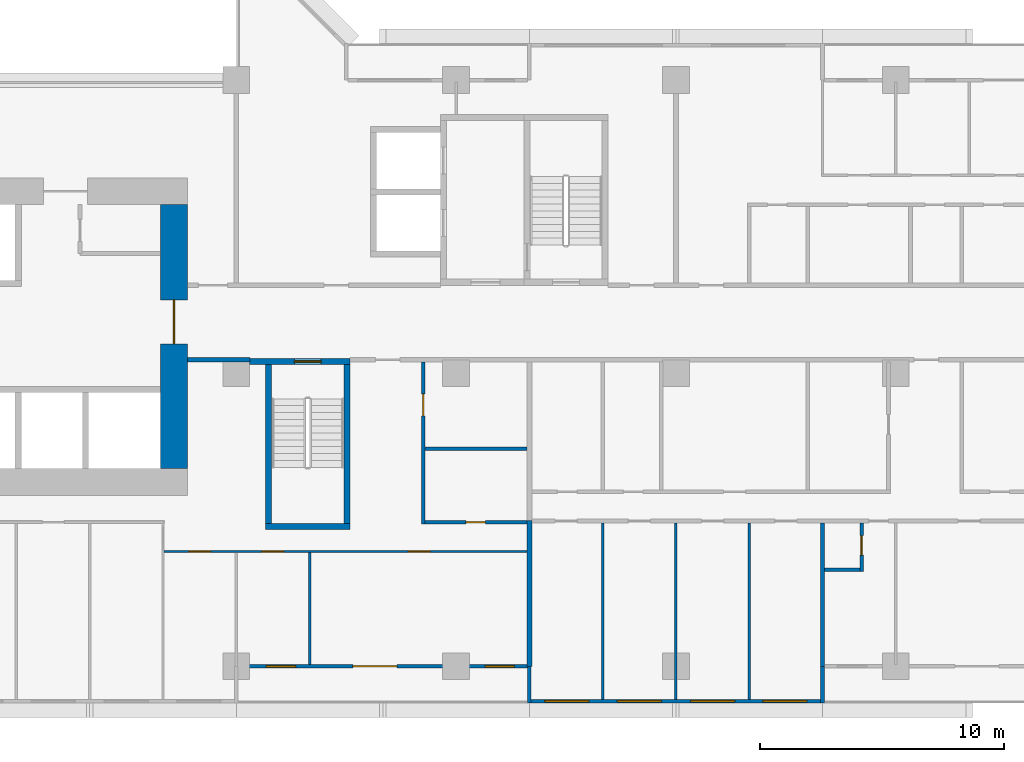
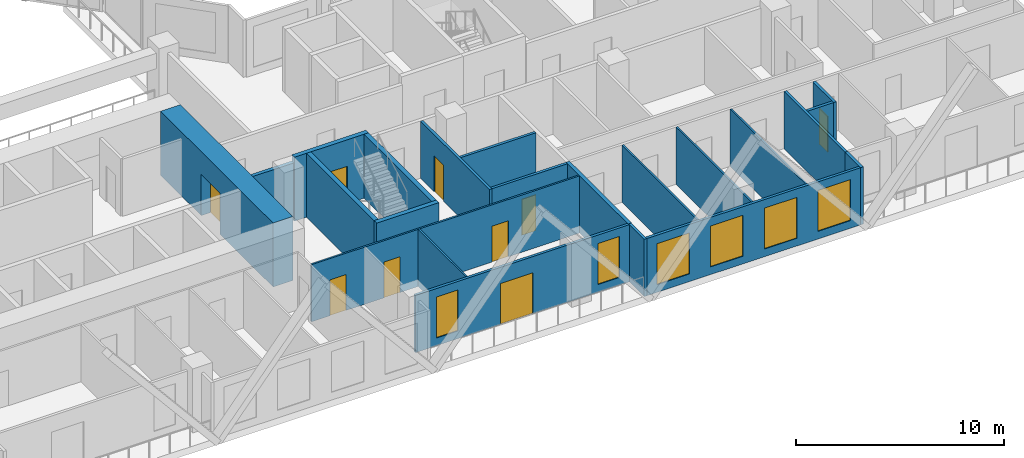
# One storey, part 6 of 16: 22 walls, 9 doors, 6 windows, 15 openings.
"""IFC4 building model written with IfcOpenShell, lengths in metres."""

import ifcopenshell
import ifcopenshell.guid

model = None  # the IFC model being written
_history = None  # IfcOwnerHistory: only IFC2X3 demands one
_inside = {}  # id of a spatial element -> (the spatial element, [elements in it])
_under = {}  # id of a project, library or spatial element -> (it, [spatial elements below it])
_declared = {}  # id of a project -> (the project, [libraries it declares])
_typed = {}  # id of a type object -> (the type object, [elements of that type])
_made_of = {}  # id of a material, layer set ... -> (it, [elements and type objects made of it])


def new_model(schema):
    """Start an empty IFC model of exactly this schema.

    Asked for "IFC4X3", IfcOpenShell would pick the latest addendum, in which some entities
    have other attributes; the version numbers below select the first issue.
    IFC2X3 requires an IfcOwnerHistory on every rooted entity: one is made here for all.
    """
    global model, _history
    if schema == "IFC4X3":
        model = ifcopenshell.file(schema_version=(4, 3, 0, 0))
    else:
        model = ifcopenshell.file(schema=schema)
    _inside.clear()
    _under.clear()
    _declared.clear()
    _typed.clear()
    _made_of.clear()
    _history = None
    if model.schema == "IFC2X3":
        org = make("IfcOrganization", Name="unknown")
        user = make(
            "IfcPersonAndOrganization",
            ThePerson=make("IfcPerson", FamilyName="unknown"),
            TheOrganization=org,
        )
        app = make(
            "IfcApplication",
            ApplicationDeveloper=org,
            Version="unknown",
            ApplicationFullName="unknown",
            ApplicationIdentifier="unknown",
        )
        _history = make(
            "IfcOwnerHistory",
            OwningUser=user,
            OwningApplication=app,
            ChangeAction="ADDED",
            CreationDate=0,
        )
    return model


def make(cls, **values):
    """One entity of the class cls with the attributes given. An attribute that is None is left unset."""
    return model.create_entity(
        cls, **{name: value for name, value in values.items() if value is not None}
    )


def rooted(cls, **values):
    """An entity with a GlobalId (a new one), such as an element, a storey or a relation."""
    return make(cls, GlobalId=ifcopenshell.guid.new(), OwnerHistory=_history, **values)


def si_unit(unit_type, name, prefix=None):
    """IfcSIUnit, for example si_unit("LENGTHUNIT", "METRE", prefix="MILLI")."""
    return make("IfcSIUnit", UnitType=unit_type, Prefix=prefix, Name=name)


def assignment(units):
    """IfcUnitAssignment: the units of a project."""
    return None if units is None else make("IfcUnitAssignment", Units=units)


def point(xyz):
    """IfcCartesianPoint."""
    return None if xyz is None else make("IfcCartesianPoint", Coordinates=xyz)


def direction(xyz):
    """IfcDirection."""
    return None if xyz is None else make("IfcDirection", DirectionRatios=xyz)


def frame(location, z_axis=None, x_axis=None):
    """IfcAxis2Placement3D, a coordinate frame: its origin and axes. An axis left out is left unset."""
    return make(
        "IfcAxis2Placement3D",
        Location=point(location),
        Axis=direction(z_axis),
        RefDirection=direction(x_axis),
    )


def frame_2d(location, x_axis=None):
    """IfcAxis2Placement2D, a coordinate frame in the plane: its origin and x axis."""
    return make(
        "IfcAxis2Placement2D", Location=point(location), RefDirection=direction(x_axis)
    )


def origin():
    """The frame at (0, 0, 0) with its axes left unset."""
    return frame((0.0, 0.0, 0.0))


def place(relative_to, where):
    """IfcLocalPlacement: puts the frame where relative to a parent placement (None: the world)."""
    return make(
        "IfcLocalPlacement", PlacementRelTo=relative_to, RelativePlacement=where
    )


def context(
    kind, dimensions, precision=None, world=None, true_north=None, identifier=None
):
    """IfcGeometricRepresentationContext, for example the 3D "Model" context."""
    return make(
        "IfcGeometricRepresentationContext",
        ContextIdentifier=identifier,
        ContextType=kind,
        CoordinateSpaceDimension=dimensions,
        Precision=precision,
        WorldCoordinateSystem=world,
        TrueNorth=true_north,
    )


def subcontext(parent, identifier, kind, view, scale=None):
    """IfcGeometricRepresentationSubContext, for example "Body" below "Model"."""
    return make(
        "IfcGeometricRepresentationSubContext",
        ContextIdentifier=identifier,
        ContextType=kind,
        ParentContext=parent,
        TargetScale=scale,
        TargetView=view,
    )


def project(units=None, contexts=None):
    """IfcProject with its units and contexts."""
    return rooted(
        "IfcProject",
        Name="project",
        RepresentationContexts=contexts,
        UnitsInContext=assignment(units),
    )


def spatial(cls, under=None, at=None, **own):
    """A site, building, storey or space (cls), placed at a placement, below another one or the project."""
    s = rooted(cls, ObjectPlacement=at, **own)
    if under is not None:
        _under.setdefault(under.id(), (under, []))[1].append(s)
    return s


def profile(cls, at=None, kind="AREA", **sizes):
    """A parametric profile (cls). Its sizes go by their IFC names, for example OverallWidth=200.0."""
    return make(cls, ProfileType=kind, Position=at, **sizes)


def rectangle(**sizes):
    """IfcRectangleProfileDef."""
    return profile("IfcRectangleProfileDef", **sizes)


def extrude(swept, where, along, depth):
    """IfcExtrudedAreaSolid: the profile swept, set in the frame where, extruded along a direction by depth."""
    return make(
        "IfcExtrudedAreaSolid",
        SweptArea=swept,
        Position=where,
        ExtrudedDirection=direction(along),
        Depth=depth,
    )


def shape(context_of_items, identifier, shape_type, items):
    """IfcShapeRepresentation: the items that make up one representation, for example the "Body"."""
    return make(
        "IfcShapeRepresentation",
        ContextOfItems=context_of_items,
        RepresentationIdentifier=identifier,
        RepresentationType=shape_type,
        Items=items,
    )


def material(Name=None, Category=None):
    """IfcMaterial."""
    return make("IfcMaterial", Name=Name, Category=Category)


def layer(
    of_material, thickness, ventilated=None, Name=None, Category=None, Priority=None
):
    """IfcMaterialLayer: one layer of a wall or slab, of a material (None: an air gap)."""
    return make(
        "IfcMaterialLayer",
        Material=of_material,
        LayerThickness=thickness,
        IsVentilated=ventilated,
        Name=Name,
        Category=Category,
        Priority=Priority,
    )


def layer_set(layers, Name=None):
    """IfcMaterialLayerSet."""
    return make("IfcMaterialLayerSet", MaterialLayers=layers, LayerSetName=Name)


def made_of(thing, what):
    """Note that an element or type object is made of a material, layer set ...; save() writes the relation."""
    if what is not None:
        _made_of.setdefault(what.id(), (what, []))[1].append(thing)
    return thing


def type_object(cls, material=None, **own):
    """A type object (cls), such as IfcWallType, which elements share."""
    return made_of(rooted(cls, **own), material)


def element(
    cls,
    number,
    at=None,
    inside=None,
    cuts=None,
    type_object=None,
    material=None,
    context=None,
    identifier="Body",
    shape_type=None,
    held_by="IfcProductDefinitionShape",
    body=None,
    shapes=None,
    **own,
):
    """One element of the class cls, such as IfcWall. Its Tag is "e" and its number.

    at: its placement. inside: the storey or other place that contains it. cuts: it is an
    opening in that element (IfcRelVoidsElement). A single representation is given by context,
    identifier, shape_type and body (its items); several are given by shapes. held_by: the class
    of the entity that holds the representations. save() writes the other relations.
    """
    e = rooted(cls, Tag="e%d" % number, ObjectPlacement=at, **own)
    if body is not None:
        shapes = [shape(context, identifier, shape_type, body)]
    if shapes is not None:
        e.Representation = make(held_by, Representations=shapes)
    if inside is not None:
        _inside.setdefault(inside.id(), (inside, []))[1].append(e)
    if cuts is not None:
        rooted(
            "IfcRelVoidsElement", RelatingBuildingElement=cuts, RelatedOpeningElement=e
        )
    if type_object is not None:
        _typed.setdefault(type_object.id(), (type_object, []))[1].append(e)
    return made_of(e, material)


def fill(opening, filler):
    """IfcRelFillsElement: the door or window that sits in an opening."""
    return rooted(
        "IfcRelFillsElement",
        RelatingOpeningElement=opening,
        RelatedBuildingElement=filler,
    )


def aggregate(whole, parts):
    """IfcRelAggregates: a whole, such as a stair, and the parts it consists of."""
    return rooted("IfcRelAggregates", RelatingObject=whole, RelatedObjects=parts)


def save(model, path):
    """Write the relations noted so far, then the file.

    IfcRelAggregates (storeys below a building ...), IfcRelContainedInSpatialStructure (elements
    in a storey), IfcRelDefinesByType, IfcRelAssociatesMaterial and IfcRelDeclares: one each for
    every whole, place, type object, material and project.
    """
    for whole, parts in _under.values():
        aggregate(whole, parts)
    for where, things in _inside.values():
        rooted(
            "IfcRelContainedInSpatialStructure",
            RelatedElements=things,
            RelatingStructure=where,
        )
    for kind, things in _typed.values():
        rooted("IfcRelDefinesByType", RelatedObjects=things, RelatingType=kind)
    for what, things in _made_of.values():
        rooted("IfcRelAssociatesMaterial", RelatedObjects=things, RelatingMaterial=what)
    for by, libraries in _declared.values():
        rooted("IfcRelDeclares", RelatingContext=by, RelatedDefinitions=libraries)
    model.write(path)


model = new_model("IFC4")

# Units and contexts
model_context = context("Model", 3, precision=1e-05, world=origin(), true_north=direction((0.0, 1.0)))
body_context = subcontext(model_context, "Body", "Model", "MODEL_VIEW")
ifc_project = project(units=[si_unit("LENGTHUNIT", "METRE"), si_unit("AREAUNIT", "SQUARE_METRE"), si_unit("VOLUMEUNIT", "CUBIC_METRE"), si_unit("PLANEANGLEUNIT", "RADIAN"), si_unit("MASSUNIT", "GRAM", prefix="KILO")], contexts=[model_context])

# Site, building, storey
site_placement = place(None, origin())
site = spatial("IfcSite", under=ifc_project, at=site_placement, CompositionType="ELEMENT")
building_placement = place(site_placement, origin())
building = spatial("IfcBuilding", under=site, at=building_placement, Name="Chenar Terraces", CompositionType="ELEMENT")
storey_placement = place(building_placement, frame((0.0, 0.0, 71.39990234375)))
storey = spatial("IfcBuildingStorey", under=building, at=storey_placement, Name="L15", CompositionType="ELEMENT", Elevation=71.39990234375)

# Wall, opening, door
ifc_material_1 = material(Name="Concrete C70/85", Category="concrete")
ifc_layer_1 = layer(ifc_material_1, 1.10009765625)
ifc_layer_set_1 = layer_set([ifc_layer_1], Name="Concrete C70/85")
wall_type_1 = type_object("IfcWallType", Name="Core wall 1100 Concrete C70/85", PredefinedType="SHEAR", material=ifc_layer_set_1)
wall_1_placement = place(storey_placement, frame((33.449951171875, 8.10009765625, 0.0), z_axis=(0.0, 0.0, 1.0), x_axis=(0.0, 1.0, 0.0)))
wall_1 = element("IfcWall", 1, at=wall_1_placement, inside=storey, type_object=wall_type_1, Name="Core wall E L15", PredefinedType="SHEAR", context=body_context, shape_type="SweptSolid", body=[
    extrude(rectangle(XDim=10.7998046875, YDim=1.10009765625, at=frame_2d((5.39990234375, 0.0))), origin(), (0.0, 0.0, 1.0), 3.75),
])
opening_1_placement = place(wall_1_placement, frame((5.10009765625, 0.0, 0.0)))
opening_1 = element("IfcOpeningElement", 2, at=opening_1_placement, cuts=wall_1, Name="Opening DL15-C1", PredefinedType="OPENING", context=body_context, shape_type="SweptSolid", body=[
    extrude(rectangle(XDim=1.800048828125, YDim=2.39990234375, at=frame_2d((0.89990234375, 1.199951171875))), frame((0.0, 0.56005859375, 0.0), z_axis=(0.0, -1.0, 0.0), x_axis=(1.0, 0.0, 0.0)), (0.0, 0.0, 1.0), 1.1201171875),
])
ifc_material_2 = material(Name="Steel-framed fire-resisting door leaf", Category="steel")
door_type_1 = type_object("IfcDoorType", Name="Core entrance double fire door FD60 1800 x 2400", OperationType="DOUBLE_DOOR_SINGLE_SWING", PredefinedType="DOOR", material=ifc_material_2)
door_1_placement = place(opening_1_placement, origin())
door_1 = element("IfcDoor", 3, at=door_1_placement, inside=storey, type_object=door_type_1, Name="Core door DL15-C1", OperationType="DOUBLE_DOOR_SINGLE_SWING", OverallHeight=2.39990234375, OverallWidth=1.800048828125, PredefinedType="DOOR", context=body_context, shape_type="SweptSolid", body=[
    extrude(rectangle(XDim=1.800048828125, YDim=2.39990234375, at=frame_2d((0.89990234375, 1.199951171875))), frame((0.0, 0.02490234375, 0.0), z_axis=(0.0, -1.0, 0.0), x_axis=(1.0, 0.0, 0.0)), (0.0, 0.0, 1.0), 0.050048828125),
])
fill(opening_1, door_1)

# Wall
ifc_material_3 = material(Name="Concrete C70/85", Category="concrete")
ifc_layer_2 = layer(ifc_material_3, 0.25)
ifc_layer_set_2 = layer_set([ifc_layer_2], Name="Concrete C70/85")
wall_type_2 = type_object("IfcWallType", Name="Core wall 250 Concrete C70/85", PredefinedType="SHEAR", material=ifc_layer_set_2)
wall_2_placement = place(storey_placement, frame((37.199951171875, 5.72509765625, 0.0), z_axis=(0.0, 0.0, 1.0), x_axis=(1.0, 0.0, 0.0)))
element("IfcWall", 4, at=wall_2_placement, inside=storey, type_object=wall_type_2, Name="Core wall ST2_S L15", PredefinedType="SHEAR", context=body_context, shape_type="SweptSolid", body=[
    extrude(rectangle(XDim=3.449951171875, YDim=0.25, at=frame_2d((1.72509765625, 0.0))), origin(), (0.0, 0.0, 1.0), 3.75),
])

# Wall, opening, door
wall_3_placement = place(storey_placement, frame((36.550048828125, 12.47509765625, 0.0), z_axis=(0.0, 0.0, 1.0), x_axis=(1.0, 0.0, 0.0)))
wall_3 = element("IfcWall", 5, at=wall_3_placement, inside=storey, type_object=wall_type_2, Name="Core wall ST2_N L15", PredefinedType="SHEAR", context=body_context, shape_type="SweptSolid", body=[
    extrude(rectangle(XDim=4.099853515625, YDim=0.25, at=frame_2d((2.0498046875, 0.0))), origin(), (0.0, 0.0, 1.0), 3.75),
])
opening_2_placement = place(wall_3_placement, frame((1.824951171875, 0.0, 0.0)))
opening_2 = element("IfcOpeningElement", 6, at=opening_2_placement, cuts=wall_3, Name="Opening DL15-C7", PredefinedType="OPENING", context=body_context, shape_type="SweptSolid", body=[
    extrude(rectangle(XDim=1.10009765625, YDim=2.199951171875, at=frame_2d((0.550048828125, 1.10009765625))), frame((0.0, 0.135009765625, 0.0), z_axis=(0.0, -1.0, 0.0), x_axis=(1.0, 0.0, 0.0)), (0.0, 0.0, 1.0), 0.27001953125),
])
ifc_material_4 = material(Name="Steel-framed fire-resisting door leaf", Category="steel")
door_type_2 = type_object("IfcDoorType", Name="Stair fire door FD60 1100 x 2200", OperationType="SINGLE_SWING_LEFT", PredefinedType="DOOR", material=ifc_material_4)
door_2_placement = place(opening_2_placement, frame((1.10009765625, 0.0, 0.0), z_axis=(0.0, 0.0, 1.0), x_axis=(-1.0, 0.0, 0.0)))
door_2 = element("IfcDoor", 7, at=door_2_placement, inside=storey, type_object=door_type_2, Name="Stair door DL15-C7", OperationType="SINGLE_SWING_LEFT", OverallHeight=2.199951171875, OverallWidth=1.10009765625, PredefinedType="DOOR", context=body_context, shape_type="SweptSolid", body=[
    extrude(rectangle(XDim=1.10009765625, YDim=2.199951171875, at=frame_2d((0.550048828125, 1.10009765625))), frame((0.0, 0.02490234375, 0.0), z_axis=(0.0, -1.0, 0.0), x_axis=(1.0, 0.0, 0.0)), (0.0, 0.0, 1.0), 0.050048828125),
])
fill(opening_2, door_2)

# Walls
for number, where, z_axis, x_axis, name in (
    (8, (37.324951171875, 5.85009765625, 0.0), (0.0, 0.0, 1.0), (0.0, 1.0, 0.0), "Core wall ST2_W L15"),
    (9, (40.52490234375, 5.85009765625, 0.0), (0.0, 0.0, 1.0), (0.0, 1.0, 0.0), "Core wall ST2_E L15"),
):
    element("IfcWall", number, at=place(storey_placement, frame(where, z_axis=z_axis, x_axis=x_axis)), inside=storey, type_object=wall_type_2, Name=name, PredefinedType="SHEAR", context=body_context, shape_type="SweptSolid", body=[
        extrude(rectangle(XDim=6.5, YDim=0.25, at=frame_2d((3.25, 0.0))), origin(), (0.0, 0.0, 1.0), 3.75),
    ])
ifc_material_5 = material(Name="Gypsum board on steel studs with fire boards", Category="steel")
ifc_layer_3 = layer(ifc_material_5, 0.199951171875)
ifc_layer_set_3 = layer_set([ifc_layer_3], Name="Gypsum board on steel studs with fire boards")
wall_type_3 = type_object("IfcWallType", Name="Corridor wall 200", PredefinedType="PARTITIONING", material=ifc_layer_set_3)
wall_4_placement = place(storey_placement, frame((34.0, 12.550048828125, 0.0), z_axis=(0.0, 0.0, 1.0), x_axis=(1.0, 0.0, 0.0)))
element("IfcWall", 10, at=wall_4_placement, inside=storey, type_object=wall_type_3, Name="Partition L15-063", PredefinedType="PARTITIONING", context=body_context, shape_type="SweptSolid", body=[
    extrude(rectangle(XDim=2.551025390625, YDim=0.199951171875, at=frame_2d((1.275390625, 0.0))), origin(), (0.0, 0.0, 1.0), 3.35009765625),
])

# Wall, openings, windows
ifc_material_6 = material(Name="Aluminium framed glazing", Category="aluminium")
ifc_layer_4 = layer(ifc_material_6, 0.14990234375)
ifc_layer_set_4 = layer_set([ifc_layer_4], Name="Aluminium framed glazing")
wall_type_4 = type_object("IfcWallType", Name="Glazed flush facade wall 150", PredefinedType="SOLIDWALL", material=ifc_layer_set_4)
wall_5_placement = place(storey_placement, frame((48.074951171875, -1.425048828125, 0.0), z_axis=(0.0, 0.0, 1.0), x_axis=(1.0, 0.0, 0.0)))
wall_5 = element("IfcWall", 11, at=wall_5_placement, inside=storey, type_object=wall_type_4, Name="Glazed flush facade wall", PredefinedType="SOLIDWALL", context=body_context, shape_type="SweptSolid", body=[
    extrude(rectangle(XDim=11.85009765625, YDim=0.14990234375, at=frame_2d((5.925048828125, 0.0))), origin(), (0.0, 0.0, 1.0), 3.35009765625),
])
opening_3_placement = place(wall_5_placement, frame((0.5625, 0.0, 0.449951171875)))
opening_3 = element("IfcOpeningElement", 12, at=opening_3_placement, cuts=wall_5, Name="Opening W180x240", PredefinedType="OPENING", context=body_context, shape_type="SweptSolid", body=[
    extrude(rectangle(XDim=1.800048828125, YDim=2.39990234375, at=frame_2d((0.89990234375, 1.199951171875))), frame((0.0, 0.0849609375, 0.0), z_axis=(0.0, -1.0, 0.0), x_axis=(1.0, 0.0, 0.0)), (0.0, 0.0, 1.0), 0.169921875),
])
opening_4_placement = place(wall_5_placement, frame((3.52490234375, 0.0, 0.449951171875)))
opening_4 = element("IfcOpeningElement", 13, at=opening_4_placement, cuts=wall_5, Name="Opening W180x240", PredefinedType="OPENING", context=body_context, shape_type="SweptSolid", body=[
    extrude(rectangle(XDim=1.800048828125, YDim=2.39990234375, at=frame_2d((0.89990234375, 1.199951171875))), frame((0.0, 0.0849609375, 0.0), z_axis=(0.0, -1.0, 0.0), x_axis=(1.0, 0.0, 0.0)), (0.0, 0.0, 1.0), 0.169921875),
])
opening_5_placement = place(wall_5_placement, frame((6.52490234375, 0.0, 0.449951171875)))
opening_5 = element("IfcOpeningElement", 14, at=opening_5_placement, cuts=wall_5, Name="Opening W180x240", PredefinedType="OPENING", context=body_context, shape_type="SweptSolid", body=[
    extrude(rectangle(XDim=1.800048828125, YDim=2.39990234375, at=frame_2d((0.89990234375, 1.199951171875))), frame((0.0, 0.0849609375, 0.0), z_axis=(0.0, -1.0, 0.0), x_axis=(1.0, 0.0, 0.0)), (0.0, 0.0, 1.0), 0.169921875),
])
opening_6_placement = place(wall_5_placement, frame((9.487548828125, 0.0, 0.449951171875)))
opening_6 = element("IfcOpeningElement", 15, at=opening_6_placement, cuts=wall_5, Name="Opening W180x240", PredefinedType="OPENING", context=body_context, shape_type="SweptSolid", body=[
    extrude(rectangle(XDim=1.800048828125, YDim=2.39990234375, at=frame_2d((0.89990234375, 1.199951171875))), frame((0.0, 0.0849609375, 0.0), z_axis=(0.0, -1.0, 0.0), x_axis=(1.0, 0.0, 0.0)), (0.0, 0.0, 1.0), 0.169921875),
])
ifc_material_7 = material(Name="Low emissivity double glazing, aluminium frame", Category="aluminium")
window_type_1 = type_object("IfcWindowType", Name="Fixed light 1800 x 2400", PartitioningType="SINGLE_PANEL", PredefinedType="WINDOW", material=ifc_material_7)
window_1_placement = place(opening_3_placement, origin())
window_1 = element("IfcWindow", 16, at=window_1_placement, inside=storey, type_object=window_type_1, Name="Window", OverallHeight=2.39990234375, OverallWidth=1.800048828125, PartitioningType="SINGLE_PANEL", PredefinedType="WINDOW", context=body_context, shape_type="SweptSolid", body=[
    extrude(rectangle(XDim=1.800048828125, YDim=2.39990234375, at=frame_2d((0.89990234375, 1.199951171875))), frame((0.0, 0.030029296875, 0.0), z_axis=(0.0, -1.0, 0.0), x_axis=(1.0, 0.0, 0.0)), (0.0, 0.0, 1.0), 0.06005859375),
])
fill(opening_3, window_1)
window_2_placement = place(opening_4_placement, origin())
window_2 = element("IfcWindow", 17, at=window_2_placement, inside=storey, type_object=window_type_1, Name="Window", OverallHeight=2.39990234375, OverallWidth=1.800048828125, PartitioningType="SINGLE_PANEL", PredefinedType="WINDOW", context=body_context, shape_type="SweptSolid", body=[
    extrude(rectangle(XDim=1.800048828125, YDim=2.39990234375, at=frame_2d((0.89990234375, 1.199951171875))), frame((0.0, 0.030029296875, 0.0), z_axis=(0.0, -1.0, 0.0), x_axis=(1.0, 0.0, 0.0)), (0.0, 0.0, 1.0), 0.06005859375),
])
fill(opening_4, window_2)
window_3_placement = place(opening_5_placement, origin())
window_3 = element("IfcWindow", 18, at=window_3_placement, inside=storey, type_object=window_type_1, Name="Window", OverallHeight=2.39990234375, OverallWidth=1.800048828125, PartitioningType="SINGLE_PANEL", PredefinedType="WINDOW", context=body_context, shape_type="SweptSolid", body=[
    extrude(rectangle(XDim=1.800048828125, YDim=2.39990234375, at=frame_2d((0.89990234375, 1.199951171875))), frame((0.0, 0.030029296875, 0.0), z_axis=(0.0, -1.0, 0.0), x_axis=(1.0, 0.0, 0.0)), (0.0, 0.0, 1.0), 0.06005859375),
])
fill(opening_5, window_3)
window_4_placement = place(opening_6_placement, origin())
window_4 = element("IfcWindow", 19, at=window_4_placement, inside=storey, type_object=window_type_1, Name="Window", OverallHeight=2.39990234375, OverallWidth=1.800048828125, PartitioningType="SINGLE_PANEL", PredefinedType="WINDOW", context=body_context, shape_type="SweptSolid", body=[
    extrude(rectangle(XDim=1.800048828125, YDim=2.39990234375, at=frame_2d((0.89990234375, 1.199951171875))), frame((0.0, 0.030029296875, 0.0), z_axis=(0.0, -1.0, 0.0), x_axis=(1.0, 0.0, 0.0)), (0.0, 0.0, 1.0), 0.06005859375),
])
fill(opening_6, window_4)

# Wall, openings, windows, door
ifc_material_8 = material(Name="Aluminium framed glazing", Category="aluminium")
ifc_layer_5 = layer(ifc_material_8, 0.14990234375)
ifc_layer_set_5 = layer_set([ifc_layer_5], Name="Aluminium framed glazing")
wall_type_5 = type_object("IfcWallType", Name="Glazed loggia back wall 150", PredefinedType="SOLIDWALL", material=ifc_layer_set_5)
wall_6_placement = place(storey_placement, frame((36.074951171875, 0.0, 0.0), z_axis=(0.0, 0.0, 1.0), x_axis=(1.0, 0.0, 0.0)))
wall_6 = element("IfcWall", 20, at=wall_6_placement, inside=storey, type_object=wall_type_5, Name="Glazed loggia back wall", PredefinedType="SOLIDWALL", context=body_context, shape_type="SweptSolid", body=[
    extrude(rectangle(XDim=11.85009765625, YDim=0.14990234375, at=frame_2d((5.925048828125, 0.0))), origin(), (0.0, 0.0, 1.0), 3.35009765625),
])
opening_7_placement = place(wall_6_placement, frame((1.14990234375, 0.0, 0.449951171875)))
opening_7 = element("IfcOpeningElement", 21, at=opening_7_placement, cuts=wall_6, Name="Opening W120x240", PredefinedType="OPENING", context=body_context, shape_type="SweptSolid", body=[
    extrude(rectangle(XDim=1.199951171875, YDim=2.39990234375, at=frame_2d((0.60009765625, 1.199951171875))), frame((0.0, 0.0849609375, 0.0), z_axis=(0.0, -1.0, 0.0), x_axis=(1.0, 0.0, 0.0)), (0.0, 0.0, 1.0), 0.169921875),
])
opening_8_placement = place(wall_6_placement, frame((4.699951171875, 0.0, 0.0)))
opening_8 = element("IfcOpeningElement", 22, at=opening_8_placement, cuts=wall_6, Name="Opening DL15-G6", PredefinedType="OPENING", context=body_context, shape_type="SweptSolid", body=[
    extrude(rectangle(XDim=1.800048828125, YDim=2.39990234375, at=frame_2d((0.89990234375, 1.199951171875))), frame((0.0, 0.0849609375, 0.0), z_axis=(0.0, -1.0, 0.0), x_axis=(1.0, 0.0, 0.0)), (0.0, 0.0, 1.0), 0.169921875),
])
opening_9_placement = place(wall_6_placement, frame((10.112548828125, 0.0, 0.449951171875)))
opening_9 = element("IfcOpeningElement", 23, at=opening_9_placement, cuts=wall_6, Name="Opening W120x240", PredefinedType="OPENING", context=body_context, shape_type="SweptSolid", body=[
    extrude(rectangle(XDim=1.199951171875, YDim=2.39990234375, at=frame_2d((0.60009765625, 1.199951171875))), frame((0.0, 0.0849609375, 0.0), z_axis=(0.0, -1.0, 0.0), x_axis=(1.0, 0.0, 0.0)), (0.0, 0.0, 1.0), 0.169921875),
])
ifc_material_9 = material(Name="Low emissivity double glazing, aluminium frame", Category="aluminium")
window_type_2 = type_object("IfcWindowType", Name="Fixed light 1200 x 2400", PartitioningType="SINGLE_PANEL", PredefinedType="WINDOW", material=ifc_material_9)
window_5_placement = place(opening_7_placement, origin())
window_5 = element("IfcWindow", 24, at=window_5_placement, inside=storey, type_object=window_type_2, Name="Window", OverallHeight=2.39990234375, OverallWidth=1.199951171875, PartitioningType="SINGLE_PANEL", PredefinedType="WINDOW", context=body_context, shape_type="SweptSolid", body=[
    extrude(rectangle(XDim=1.199951171875, YDim=2.39990234375, at=frame_2d((0.60009765625, 1.199951171875))), frame((0.0, 0.030029296875, 0.0), z_axis=(0.0, -1.0, 0.0), x_axis=(1.0, 0.0, 0.0)), (0.0, 0.0, 1.0), 0.06005859375),
])
fill(opening_7, window_5)
window_6_placement = place(opening_9_placement, origin())
window_6 = element("IfcWindow", 25, at=window_6_placement, inside=storey, type_object=window_type_2, Name="Window", OverallHeight=2.39990234375, OverallWidth=1.199951171875, PartitioningType="SINGLE_PANEL", PredefinedType="WINDOW", context=body_context, shape_type="SweptSolid", body=[
    extrude(rectangle(XDim=1.199951171875, YDim=2.39990234375, at=frame_2d((0.60009765625, 1.199951171875))), frame((0.0, 0.030029296875, 0.0), z_axis=(0.0, -1.0, 0.0), x_axis=(1.0, 0.0, 0.0)), (0.0, 0.0, 1.0), 0.06005859375),
])
fill(opening_9, window_6)
ifc_material_10 = material(Name="Low emissivity double glazing, aluminium frame", Category="aluminium")
door_type_3 = type_object("IfcDoorType", Name="Loggia glazed double door 1800 x 2400", OperationType="DOUBLE_DOOR_SINGLE_SWING", PredefinedType="DOOR", material=ifc_material_10)
door_3_placement = place(opening_8_placement, frame((1.800048828125, 0.0, 0.0), z_axis=(0.0, 0.0, 1.0), x_axis=(-1.0, 0.0, 0.0)))
door_3 = element("IfcDoor", 26, at=door_3_placement, inside=storey, type_object=door_type_3, Name="Loggia glazed door", OperationType="DOUBLE_DOOR_SINGLE_SWING", OverallHeight=2.39990234375, OverallWidth=1.800048828125, PredefinedType="DOOR", context=body_context, shape_type="SweptSolid", body=[
    extrude(rectangle(XDim=1.800048828125, YDim=2.39990234375, at=frame_2d((0.89990234375, 1.199951171875))), frame((0.0, 0.02490234375, 0.0), z_axis=(0.0, -1.0, 0.0), x_axis=(1.0, 0.0, 0.0)), (0.0, 0.0, 1.0), 0.050048828125),
])
fill(opening_8, door_3)

# Wall, openings, doors
ifc_material_11 = material(Name="Gypsum board on steel studs", Category="steel")
ifc_layer_6 = layer(ifc_material_11, 0.10009765625)
ifc_layer_set_6 = layer_set([ifc_layer_6], Name="Gypsum board on steel studs")
wall_type_6 = type_object("IfcWallType", Name="Gypsum partition 100", PredefinedType="PARTITIONING", material=ifc_layer_set_6)
wall_7_placement = place(storey_placement, frame((33.050048828125, 4.699951171875, 0.0), z_axis=(0.0, 0.0, 1.0), x_axis=(1.0, 0.0, 0.0)))
wall_7 = element("IfcWall", 27, at=wall_7_placement, inside=storey, type_object=wall_type_6, Name="Partition L15-062", PredefinedType="PARTITIONING", context=body_context, shape_type="SweptSolid", body=[
    extrude(rectangle(XDim=14.849853515625, YDim=0.10009765625, at=frame_2d((7.4248046875, 0.0))), origin(), (0.0, 0.0, 1.0), 3.35009765625),
])
opening_10_placement = place(wall_7_placement, frame((1.0, 0.0, 0.0)))
opening_10 = element("IfcOpeningElement", 28, at=opening_10_placement, cuts=wall_7, Name="Opening DL15-62", PredefinedType="OPENING", context=body_context, shape_type="SweptSolid", body=[
    extrude(rectangle(XDim=0.89990234375, YDim=2.10009765625, at=frame_2d((0.449951171875, 1.050048828125))), frame((0.0, 0.06005859375, 0.0), z_axis=(0.0, -1.0, 0.0), x_axis=(1.0, 0.0, 0.0)), (0.0, 0.0, 1.0), 0.1201171875),
])
opening_11_placement = place(wall_7_placement, frame((4.0, 0.0, 0.0)))
opening_11 = element("IfcOpeningElement", 29, at=opening_11_placement, cuts=wall_7, Name="Opening DL15-63", PredefinedType="OPENING", context=body_context, shape_type="SweptSolid", body=[
    extrude(rectangle(XDim=0.89990234375, YDim=2.10009765625, at=frame_2d((0.449951171875, 1.050048828125))), frame((0.0, 0.06005859375, 0.0), z_axis=(0.0, -1.0, 0.0), x_axis=(1.0, 0.0, 0.0)), (0.0, 0.0, 1.0), 0.1201171875),
])
opening_12_placement = place(wall_7_placement, frame((10.0, 0.0, 0.0)))
opening_12 = element("IfcOpeningElement", 30, at=opening_12_placement, cuts=wall_7, Name="Opening DL15-69", PredefinedType="OPENING", context=body_context, shape_type="SweptSolid", body=[
    extrude(rectangle(XDim=0.89990234375, YDim=2.10009765625, at=frame_2d((0.449951171875, 1.050048828125))), frame((0.0, 0.06005859375, 0.0), z_axis=(0.0, -1.0, 0.0), x_axis=(1.0, 0.0, 0.0)), (0.0, 0.0, 1.0), 0.1201171875),
])
ifc_material_12 = material(Name="Veneered timber door leaf", Category="wood")
door_type_4 = type_object("IfcDoorType", Name="Door 900 x 2100", OperationType="SINGLE_SWING_LEFT", PredefinedType="DOOR", material=ifc_material_12)
door_4_placement = place(opening_10_placement, frame((0.89990234375, 0.0, 0.0), z_axis=(0.0, 0.0, 1.0), x_axis=(-1.0, 0.0, 0.0)))
door_4 = element("IfcDoor", 31, at=door_4_placement, inside=storey, type_object=door_type_4, Name="Door DL15-62", OperationType="SINGLE_SWING_LEFT", OverallHeight=2.10009765625, OverallWidth=0.89990234375, PredefinedType="DOOR", context=body_context, shape_type="SweptSolid", body=[
    extrude(rectangle(XDim=0.89990234375, YDim=2.10009765625, at=frame_2d((0.449951171875, 1.050048828125))), frame((0.0, 0.02490234375, 0.0), z_axis=(0.0, -1.0, 0.0), x_axis=(1.0, 0.0, 0.0)), (0.0, 0.0, 1.0), 0.050048828125),
])
fill(opening_10, door_4)
door_5_placement = place(opening_11_placement, frame((0.89990234375, 0.0, 0.0), z_axis=(0.0, 0.0, 1.0), x_axis=(-1.0, 0.0, 0.0)))
door_5 = element("IfcDoor", 32, at=door_5_placement, inside=storey, type_object=door_type_4, Name="Door DL15-63", OperationType="SINGLE_SWING_LEFT", OverallHeight=2.10009765625, OverallWidth=0.89990234375, PredefinedType="DOOR", context=body_context, shape_type="SweptSolid", body=[
    extrude(rectangle(XDim=0.89990234375, YDim=2.10009765625, at=frame_2d((0.449951171875, 1.050048828125))), frame((0.0, 0.02490234375, 0.0), z_axis=(0.0, -1.0, 0.0), x_axis=(1.0, 0.0, 0.0)), (0.0, 0.0, 1.0), 0.050048828125),
])
fill(opening_11, door_5)
door_6_placement = place(opening_12_placement, frame((0.89990234375, 0.0, 0.0), z_axis=(0.0, 0.0, 1.0), x_axis=(-1.0, 0.0, 0.0)))
door_6 = element("IfcDoor", 33, at=door_6_placement, inside=storey, type_object=door_type_4, Name="Door DL15-69", OperationType="SINGLE_SWING_LEFT", OverallHeight=2.10009765625, OverallWidth=0.89990234375, PredefinedType="DOOR", context=body_context, shape_type="SweptSolid", body=[
    extrude(rectangle(XDim=0.89990234375, YDim=2.10009765625, at=frame_2d((0.449951171875, 1.050048828125))), frame((0.0, 0.02490234375, 0.0), z_axis=(0.0, -1.0, 0.0), x_axis=(1.0, 0.0, 0.0)), (0.0, 0.0, 1.0), 0.050048828125),
])
fill(opening_12, door_6)

# Walls
wall_8_placement = place(storey_placement, frame((39.0, 0.073974609375, 0.0), z_axis=(0.0, 0.0, 1.0), x_axis=(0.0, 1.0, 0.0)))
element("IfcWall", 34, at=wall_8_placement, inside=storey, type_object=wall_type_6, Name="Partition L15-067", PredefinedType="PARTITIONING", context=body_context, shape_type="SweptSolid", body=[
    extrude(rectangle(XDim=4.575927734375, YDim=0.10009765625, at=frame_2d((2.2880859375, 0.0))), origin(), (0.0, 0.0, 1.0), 3.35009765625),
])
for number, where, z_axis, x_axis, name in (
    (35, (51.0, -1.35107421875, 0.0), (0.0, 0.0, 1.0), (0.0, 1.0, 0.0), "Partition L15-077"),
    (36, (54.0, -1.35107421875, 0.0), (0.0, 0.0, 1.0), (0.0, 1.0, 0.0), "Partition L15-081"),
    (37, (57.0, -1.35107421875, 0.0), (0.0, 0.0, 1.0), (0.0, 1.0, 0.0), "Partition L15-084"),
):
    element("IfcWall", number, at=place(storey_placement, frame(where, z_axis=z_axis, x_axis=x_axis)), inside=storey, type_object=wall_type_6, Name=name, PredefinedType="PARTITIONING", context=body_context, shape_type="SweptSolid", body=[
        extrude(rectangle(XDim=7.22607421875, YDim=0.10009765625, at=frame_2d((3.613037109375, 0.0))), origin(), (0.0, 0.0, 1.0), 3.35009765625),
    ])
ifc_material_13 = material(Name="Terracotta cladding on insulated backing", Category="masonry")
ifc_layer_7 = layer(ifc_material_13, 0.14990234375)
ifc_layer_set_7 = layer_set([ifc_layer_7], Name="Terracotta cladding on insulated backing")
wall_type_7 = type_object("IfcWallType", Name="Loggia return wall 150", PredefinedType="SOLIDWALL", material=ifc_layer_set_7)
for number, where, z_axis, x_axis, name in (
    (38, (48.0, -1.5, 0.0), (0.0, 0.0, 1.0), (0.0, 1.0, 0.0), "Loggia return wall"),
    (39, (60.0, -1.5, 0.0), (0.0, 0.0, 1.0), (0.0, 1.0, 0.0), "Loggia return wall"),
):
    element("IfcWall", number, at=place(storey_placement, frame(where, z_axis=z_axis, x_axis=x_axis)), inside=storey, type_object=wall_type_7, Name=name, PredefinedType="SOLIDWALL", context=body_context, shape_type="SweptSolid", body=[
        extrude(rectangle(XDim=1.5, YDim=0.14990234375, at=frame_2d((0.75, 0.0))), origin(), (0.0, 0.0, 1.0), 3.35009765625),
    ])
ifc_material_14 = material(Name="Twin gypsum board on steel studs with mineral wool", Category="steel")
ifc_layer_8 = layer(ifc_material_14, 0.199951171875)
ifc_layer_set_8 = layer_set([ifc_layer_8], Name="Twin gypsum board on steel studs with mineral wool")
wall_type_8 = type_object("IfcWallType", Name="Unit demising wall 200", PredefinedType="PARTITIONING", material=ifc_layer_set_8)
wall_9_placement = place(storey_placement, frame((48.0, 0.0, 0.0), z_axis=(0.0, 0.0, 1.0), x_axis=(0.0, 1.0, 0.0)))
element("IfcWall", 40, at=wall_9_placement, inside=storey, type_object=wall_type_8, Name="Partition L15-073", PredefinedType="PARTITIONING", context=body_context, shape_type="SweptSolid", body=[
    extrude(rectangle(XDim=5.97509765625, YDim=0.199951171875, at=frame_2d((2.987548828125, 0.0))), origin(), (0.0, 0.0, 1.0), 3.35009765625),
])

# Wall, opening, door
ifc_material_15 = material(Name="Moisture-resistant gypsum board on steel studs", Category="steel")
ifc_layer_9 = layer(ifc_material_15, 0.14990234375)
ifc_layer_set_9 = layer_set([ifc_layer_9], Name="Moisture-resistant gypsum board on steel studs")
wall_type_9 = type_object("IfcWallType", Name="Wet-room partition 150", PredefinedType="PARTITIONING", material=ifc_layer_set_9)
wall_10_placement = place(storey_placement, frame((43.64990234375, 5.824951171875, 0.0), z_axis=(0.0, 0.0, 1.0), x_axis=(0.0, 1.0, 0.0)))
wall_10 = element("IfcWall", 41, at=wall_10_placement, inside=storey, type_object=wall_type_9, Name="Partition L15-069", PredefinedType="PARTITIONING", context=body_context, shape_type="SweptSolid", body=[
    extrude(rectangle(XDim=6.625, YDim=0.14990234375, at=frame_2d((3.3125, 0.0))), origin(), (0.0, 0.0, 1.0), 3.35009765625),
])
opening_13_placement = place(wall_10_placement, frame((4.425048828125, 0.0, 0.0)))
opening_13 = element("IfcOpeningElement", 42, at=opening_13_placement, cuts=wall_10, Name="Opening DL15-67", PredefinedType="OPENING", context=body_context, shape_type="SweptSolid", body=[
    extrude(rectangle(XDim=0.89990234375, YDim=2.10009765625, at=frame_2d((0.449951171875, 1.050048828125))), frame((0.0, 0.0849609375, 0.0), z_axis=(0.0, -1.0, 0.0), x_axis=(1.0, 0.0, 0.0)), (0.0, 0.0, 1.0), 0.169921875),
])
door_7_placement = place(opening_13_placement, frame((0.89990234375, 0.0, 0.0), z_axis=(0.0, 0.0, 1.0), x_axis=(-1.0, 0.0, 0.0)))
door_7 = element("IfcDoor", 43, at=door_7_placement, inside=storey, type_object=door_type_4, Name="Door DL15-67", OperationType="SINGLE_SWING_LEFT", OverallHeight=2.10009765625, OverallWidth=0.89990234375, PredefinedType="DOOR", context=body_context, shape_type="SweptSolid", body=[
    extrude(rectangle(XDim=0.89990234375, YDim=2.10009765625, at=frame_2d((0.449951171875, 1.050048828125))), frame((0.0, 0.02490234375, 0.0), z_axis=(0.0, -1.0, 0.0), x_axis=(1.0, 0.0, 0.0)), (0.0, 0.0, 1.0), 0.050048828125),
])
fill(opening_13, door_7)

wall_11_placement = place(storey_placement, frame((43.72509765625, 5.89990234375, 0.0), z_axis=(0.0, 0.0, 1.0), x_axis=(1.0, 0.0, 0.0)))
wall_11 = element("IfcWall", 44, at=wall_11_placement, inside=storey, type_object=wall_type_9, Name="Partition L15-070", PredefinedType="PARTITIONING", context=body_context, shape_type="SweptSolid", body=[
    extrude(rectangle(XDim=4.1748046875, YDim=0.14990234375, at=frame_2d((2.08740234375, 0.0))), origin(), (0.0, 0.0, 1.0), 3.35009765625),
])
opening_14_placement = place(wall_11_placement, frame((1.675048828125, 0.0, 0.0)))
opening_14 = element("IfcOpeningElement", 45, at=opening_14_placement, cuts=wall_11, Name="Opening DL15-57", PredefinedType="OPENING", context=body_context, shape_type="SweptSolid", body=[
    extrude(rectangle(XDim=0.800048828125, YDim=2.10009765625, at=frame_2d((0.39990234375, 1.050048828125))), frame((0.0, 0.0849609375, 0.0), z_axis=(0.0, -1.0, 0.0), x_axis=(1.0, 0.0, 0.0)), (0.0, 0.0, 1.0), 0.169921875),
])
ifc_material_16 = material(Name="Veneered timber door leaf", Category="wood")
door_type_5 = type_object("IfcDoorType", Name="Door 800 x 2100", OperationType="SINGLE_SWING_LEFT", PredefinedType="DOOR", material=ifc_material_16)
door_8_placement = place(opening_14_placement, origin())
door_8 = element("IfcDoor", 46, at=door_8_placement, inside=storey, type_object=door_type_5, Name="Door DL15-57", OperationType="SINGLE_SWING_LEFT", OverallHeight=2.10009765625, OverallWidth=0.800048828125, PredefinedType="DOOR", context=body_context, shape_type="SweptSolid", body=[
    extrude(rectangle(XDim=0.800048828125, YDim=2.10009765625, at=frame_2d((0.39990234375, 1.050048828125))), frame((0.0, 0.02490234375, 0.0), z_axis=(0.0, -1.0, 0.0), x_axis=(1.0, 0.0, 0.0)), (0.0, 0.0, 1.0), 0.050048828125),
])
fill(opening_14, door_8)

# Walls
wall_12_placement = place(storey_placement, frame((43.72509765625, 8.89990234375, 0.0), z_axis=(0.0, 0.0, 1.0), x_axis=(1.0, 0.0, 0.0)))
element("IfcWall", 47, at=wall_12_placement, inside=storey, type_object=wall_type_9, Name="Partition L15-071", PredefinedType="PARTITIONING", context=body_context, shape_type="SweptSolid", body=[
    extrude(rectangle(XDim=4.1748046875, YDim=0.14990234375, at=frame_2d((2.08740234375, 0.0))), origin(), (0.0, 0.0, 1.0), 3.35009765625),
])
wall_13_placement = place(storey_placement, frame((60.0, 0.0, 0.0), z_axis=(0.0, 0.0, 1.0), x_axis=(0.0, 1.0, 0.0)))
element("IfcWall", 48, at=wall_13_placement, inside=storey, type_object=wall_type_9, Name="Partition L15-089", PredefinedType="PARTITIONING", context=body_context, shape_type="SweptSolid", body=[
    extrude(rectangle(XDim=5.875, YDim=0.14990234375, at=frame_2d((2.9375, 0.0))), origin(), (0.0, 0.0, 1.0), 3.35009765625),
])
wall_14_placement = place(storey_placement, frame((60.074951171875, 3.949951171875, 0.0), z_axis=(0.0, 0.0, 1.0), x_axis=(1.0, 0.0, 0.0)))
element("IfcWall", 49, at=wall_14_placement, inside=storey, type_object=wall_type_9, Name="Partition L15-091", PredefinedType="PARTITIONING", context=body_context, shape_type="SweptSolid", body=[
    extrude(rectangle(XDim=1.449951171875, YDim=0.14990234375, at=frame_2d((0.72509765625, 0.0))), origin(), (0.0, 0.0, 1.0), 3.35009765625),
])

# Wall, opening, door
wall_15_placement = place(storey_placement, frame((61.60009765625, 3.875, 0.0), z_axis=(0.0, 0.0, 1.0), x_axis=(0.0, 1.0, 0.0)))
wall_15 = element("IfcWall", 50, at=wall_15_placement, inside=storey, type_object=wall_type_9, Name="Partition L15-092", PredefinedType="PARTITIONING", context=body_context, shape_type="SweptSolid", body=[
    extrude(rectangle(XDim=2.0, YDim=0.14990234375, at=frame_2d((1.0, 0.0))), origin(), (0.0, 0.0, 1.0), 3.35009765625),
])
opening_15_placement = place(wall_15_placement, frame((0.675048828125, 0.0, 0.0)))
opening_15 = element("IfcOpeningElement", 51, at=opening_15_placement, cuts=wall_15, Name="Opening DL15-26", PredefinedType="OPENING", context=body_context, shape_type="SweptSolid", body=[
    extrude(rectangle(XDim=0.800048828125, YDim=2.10009765625, at=frame_2d((0.39990234375, 1.050048828125))), frame((0.0, 0.0849609375, 0.0), z_axis=(0.0, -1.0, 0.0), x_axis=(1.0, 0.0, 0.0)), (0.0, 0.0, 1.0), 0.169921875),
])
door_9_placement = place(opening_15_placement, origin())
door_9 = element("IfcDoor", 52, at=door_9_placement, inside=storey, type_object=door_type_5, Name="Door DL15-26", OperationType="SINGLE_SWING_LEFT", OverallHeight=2.10009765625, OverallWidth=0.800048828125, PredefinedType="DOOR", context=body_context, shape_type="SweptSolid", body=[
    extrude(rectangle(XDim=0.800048828125, YDim=2.10009765625, at=frame_2d((0.39990234375, 1.050048828125))), frame((0.0, 0.02490234375, 0.0), z_axis=(0.0, -1.0, 0.0), x_axis=(1.0, 0.0, 0.0)), (0.0, 0.0, 1.0), 0.050048828125),
])
fill(opening_15, door_9)

save(model, "model.ifc")
